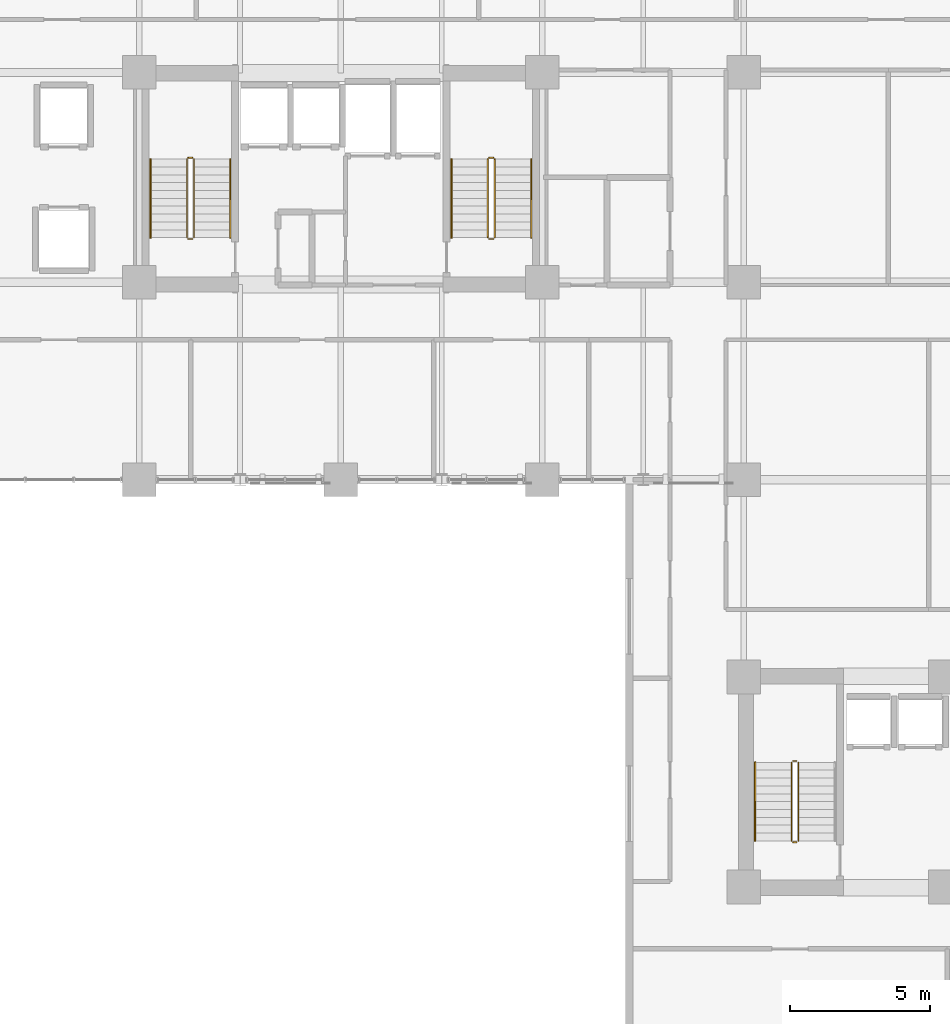
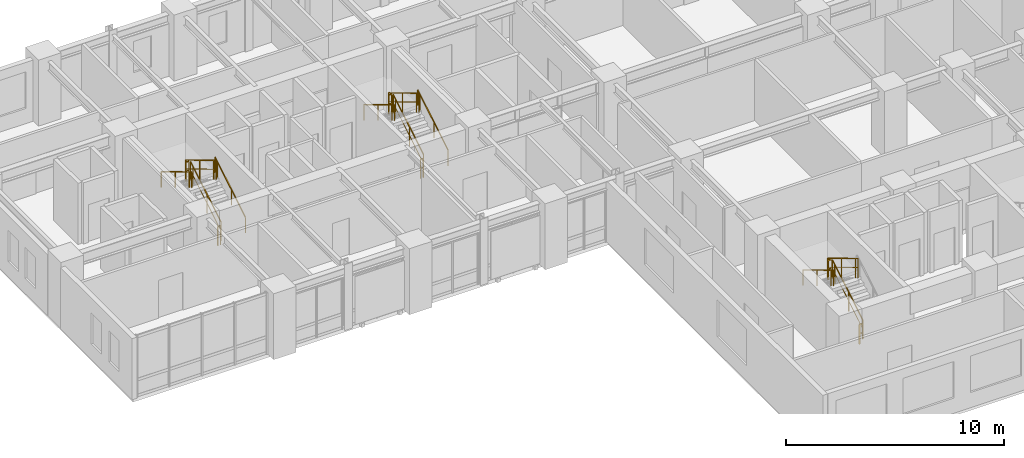
# One storey, part 14 of 16: 17 railings.
"""IFC4 building model written with IfcOpenShell, lengths in metres."""

from ifc_helpers import new_model, si_unit, direction, frame, origin, origin_2d, place, context, subcontext, project, spatial, rectangle, extrude, material, type_object, element, save


model = new_model("IFC4")

# Units and contexts
model_context = context("Model", 3, precision=1e-05, world=origin(), true_north=direction((0.0, 1.0)))
body_context = subcontext(model_context, "Body", "Model", "MODEL_VIEW")
ifc_project = project(units=[si_unit("LENGTHUNIT", "METRE"), si_unit("AREAUNIT", "SQUARE_METRE"), si_unit("VOLUMEUNIT", "CUBIC_METRE"), si_unit("PLANEANGLEUNIT", "RADIAN"), si_unit("MASSUNIT", "GRAM", prefix="KILO")], contexts=[model_context])

# Site, building, storey
site_placement = place(None, origin())
site = spatial("IfcSite", under=ifc_project, at=site_placement, CompositionType="ELEMENT")
building_placement = place(site_placement, origin())
building = spatial("IfcBuilding", under=site, at=building_placement, Name="Kaliganga Portal Commons", CompositionType="ELEMENT")
storey_placement = place(building_placement, frame((0.0, 0.0, 82.300048828125)))
storey = spatial("IfcBuildingStorey", under=building, at=storey_placement, Name="L20", CompositionType="ELEMENT", Elevation=82.300048828125)

# Railings
ifc_material_1 = material(Name="Galvanized Painted Steel Balustrade", Category="steel")
railing_type_1 = type_object("IfcRailingType", Name="RLG-STAIR-GRD", PredefinedType="GUARDRAIL", material=ifc_material_1)
railing_1_placement = place(storey_placement, frame((16.35009765625, 30.25, 0.168212890625)))
element("IfcRailing", 1, at=railing_1_placement, inside=storey, type_object=railing_type_1, Name="L20 ST-A1 stair guard 1", PredefinedType="GUARDRAIL", context=body_context, shape_type="SweptSolid", body=[
    extrude(rectangle(XDim=0.048095703125, YDim=0.048095703125, at=origin_2d()), frame((0.0, 0.0, 1.072021484375), z_axis=(0.0, 0.857275202839, 0.514858452973), x_axis=(-1.0, 0.0, 0.0)), (0.0, 0.0, 1.0), 3.26611328125),
    extrude(rectangle(XDim=0.028076171875, YDim=0.028076171875, at=origin_2d()), frame((0.0, 0.0, 0.572021484375), z_axis=(0.0, 0.857275202839, 0.514858452973), x_axis=(-1.0, 0.0, 0.0)), (0.0, 0.0, 1.0), 3.26611328125),
    extrude(rectangle(XDim=0.0419921875, YDim=0.0419921875, at=origin_2d()), origin(), (0.0, 0.0, 1.0), 1.052001953125),
    extrude(rectangle(XDim=0.0419921875, YDim=0.0419921875, at=origin_2d()), frame((0.0, 1.285888671875, 0.772216796875)), (0.0, 0.0, 1.0), 1.052001953125),
    extrude(rectangle(XDim=0.0419921875, YDim=0.0419921875, at=origin_2d()), frame((0.0, 2.57177734375, 1.544677734375)), (0.0, 0.0, 1.0), 1.052001953125),
    extrude(rectangle(XDim=0.0419921875, YDim=0.0419921875, at=origin_2d()), frame((0.0, 2.800048828125, 1.681640625)), (0.0, 0.0, 1.0), 1.052001953125),
])
railing_2_placement = place(storey_placement, frame((16.300048828125, 33.10009765625, 1.849853515625)))
element("IfcRailing", 2, at=railing_2_placement, inside=storey, type_object=railing_type_1, Name="L20 ST-A1 stair guard 2", PredefinedType="GUARDRAIL", context=body_context, shape_type="SweptSolid", body=[
    extrude(rectangle(XDim=0.048095703125, YDim=0.048095703125, at=origin_2d()), frame((0.0, 0.0, 1.076171875), z_axis=(-1.0, 0.0, 0.0), x_axis=(0.0, -1.0, 0.0)), (0.0, 0.0, 1.0), 0.150146484375),
    extrude(rectangle(XDim=0.028076171875, YDim=0.028076171875, at=origin_2d()), frame((0.0, 0.0, 0.572021484375), z_axis=(-1.0, 0.0, 0.0), x_axis=(0.0, -1.0, 0.0)), (0.0, 0.0, 1.0), 0.150146484375),
    extrude(rectangle(XDim=0.0419921875, YDim=0.0419921875, at=origin_2d()), origin(), (0.0, 0.0, 1.0), 1.052001953125),
    extrude(rectangle(XDim=0.0419921875, YDim=0.0419921875, at=origin_2d()), frame((-0.150146484375, 0.0, 0.0)), (0.0, 0.0, 1.0), 1.052001953125),
])
railing_3_placement = place(storey_placement, frame((16.10009765625, 33.050048828125, 2.01806640625)))
element("IfcRailing", 3, at=railing_3_placement, inside=storey, type_object=railing_type_1, Name="L20 ST-A1 stair guard 3", PredefinedType="GUARDRAIL", context=body_context, shape_type="SweptSolid", body=[
    extrude(rectangle(XDim=0.048095703125, YDim=0.048095703125, at=origin_2d()), frame((0.0, 0.0, 1.072021484375), z_axis=(0.0, -0.857242210791, 0.514913383045), x_axis=(1.0, 0.0, 0.0)), (0.0, 0.0, 1.0), 3.266357421875),
    extrude(rectangle(XDim=0.028076171875, YDim=0.028076171875, at=origin_2d()), frame((0.0, 0.0, 0.572021484375), z_axis=(0.0, -0.857242210791, 0.514913383045), x_axis=(1.0, 0.0, 0.0)), (0.0, 0.0, 1.0), 3.266357421875),
    extrude(rectangle(XDim=0.0419921875, YDim=0.0419921875, at=origin_2d()), origin(), (0.0, 0.0, 1.0), 1.052001953125),
    extrude(rectangle(XDim=0.0419921875, YDim=0.0419921875, at=origin_2d()), frame((0.0, -1.285888671875, 0.7724609375)), (0.0, 0.0, 1.0), 1.052001953125),
    extrude(rectangle(XDim=0.0419921875, YDim=0.0419921875, at=origin_2d()), frame((0.0, -2.57177734375, 1.544677734375)), (0.0, 0.0, 1.0), 1.052001953125),
    extrude(rectangle(XDim=0.0419921875, YDim=0.0419921875, at=origin_2d()), frame((0.0, -2.800048828125, 1.681884765625)), (0.0, 0.0, 1.0), 1.052001953125),
])
railing_4_placement = place(storey_placement, frame((16.300048828125, 30.199951171875, 0.0)))
element("IfcRailing", 4, at=railing_4_placement, inside=storey, type_object=railing_type_1, Name="L20 ST-A1 stair guard 4", PredefinedType="GUARDRAIL", context=body_context, shape_type="SweptSolid", body=[
    extrude(rectangle(XDim=0.048095703125, YDim=0.048095703125, at=origin_2d()), frame((0.0, 0.0, 1.076171875), z_axis=(-1.0, 0.0, 0.0), x_axis=(0.0, -1.0, 0.0)), (0.0, 0.0, 1.0), 0.150146484375),
    extrude(rectangle(XDim=0.028076171875, YDim=0.028076171875, at=origin_2d()), frame((0.0, 0.0, 0.572021484375), z_axis=(-1.0, 0.0, 0.0), x_axis=(0.0, -1.0, 0.0)), (0.0, 0.0, 1.0), 0.150146484375),
    extrude(rectangle(XDim=0.0419921875, YDim=0.0419921875, at=origin_2d()), origin(), (0.0, 0.0, 1.0), 1.052001953125),
    extrude(rectangle(XDim=0.0419921875, YDim=0.0419921875, at=origin_2d()), frame((-0.150146484375, 0.0, 0.0)), (0.0, 0.0, 1.0), 1.052001953125),
])
railing_5_placement = place(storey_placement, frame((27.10009765625, 30.25, 0.168212890625)))
element("IfcRailing", 5, at=railing_5_placement, inside=storey, type_object=railing_type_1, Name="L20 ST-A2 stair guard 1", PredefinedType="GUARDRAIL", context=body_context, shape_type="SweptSolid", body=[
    extrude(rectangle(XDim=0.048095703125, YDim=0.048095703125, at=origin_2d()), frame((0.0, 0.0, 1.072021484375), z_axis=(0.0, 0.857275202839, 0.514858452973), x_axis=(-1.0, 0.0, 0.0)), (0.0, 0.0, 1.0), 3.26611328125),
    extrude(rectangle(XDim=0.028076171875, YDim=0.028076171875, at=origin_2d()), frame((0.0, 0.0, 0.572021484375), z_axis=(0.0, 0.857275202839, 0.514858452973), x_axis=(-1.0, 0.0, 0.0)), (0.0, 0.0, 1.0), 3.26611328125),
    extrude(rectangle(XDim=0.0419921875, YDim=0.0419921875, at=origin_2d()), origin(), (0.0, 0.0, 1.0), 1.052001953125),
    extrude(rectangle(XDim=0.0419921875, YDim=0.0419921875, at=origin_2d()), frame((0.0, 1.285888671875, 0.772216796875)), (0.0, 0.0, 1.0), 1.052001953125),
    extrude(rectangle(XDim=0.0419921875, YDim=0.0419921875, at=origin_2d()), frame((0.0, 2.57177734375, 1.544677734375)), (0.0, 0.0, 1.0), 1.052001953125),
    extrude(rectangle(XDim=0.0419921875, YDim=0.0419921875, at=origin_2d()), frame((0.0, 2.800048828125, 1.681640625)), (0.0, 0.0, 1.0), 1.052001953125),
])
railing_6_placement = place(storey_placement, frame((27.050048828125, 33.10009765625, 1.849853515625)))
element("IfcRailing", 6, at=railing_6_placement, inside=storey, type_object=railing_type_1, Name="L20 ST-A2 stair guard 2", PredefinedType="GUARDRAIL", context=body_context, shape_type="SweptSolid", body=[
    extrude(rectangle(XDim=0.048095703125, YDim=0.048095703125, at=origin_2d()), frame((0.0, 0.0, 1.076171875), z_axis=(-1.0, 0.0, 0.0), x_axis=(0.0, -1.0, 0.0)), (0.0, 0.0, 1.0), 0.150146484375),
    extrude(rectangle(XDim=0.028076171875, YDim=0.028076171875, at=origin_2d()), frame((0.0, 0.0, 0.572021484375), z_axis=(-1.0, 0.0, 0.0), x_axis=(0.0, -1.0, 0.0)), (0.0, 0.0, 1.0), 0.150146484375),
    extrude(rectangle(XDim=0.0419921875, YDim=0.0419921875, at=origin_2d()), origin(), (0.0, 0.0, 1.0), 1.052001953125),
    extrude(rectangle(XDim=0.0419921875, YDim=0.0419921875, at=origin_2d()), frame((-0.150146484375, 0.0, 0.0)), (0.0, 0.0, 1.0), 1.052001953125),
])
railing_7_placement = place(storey_placement, frame((26.85009765625, 33.050048828125, 2.01806640625)))
element("IfcRailing", 7, at=railing_7_placement, inside=storey, type_object=railing_type_1, Name="L20 ST-A2 stair guard 3", PredefinedType="GUARDRAIL", context=body_context, shape_type="SweptSolid", body=[
    extrude(rectangle(XDim=0.048095703125, YDim=0.048095703125, at=origin_2d()), frame((0.0, 0.0, 1.072021484375), z_axis=(0.0, -0.857242210791, 0.514913383045), x_axis=(1.0, 0.0, 0.0)), (0.0, 0.0, 1.0), 3.266357421875),
    extrude(rectangle(XDim=0.028076171875, YDim=0.028076171875, at=origin_2d()), frame((0.0, 0.0, 0.572021484375), z_axis=(0.0, -0.857242210791, 0.514913383045), x_axis=(1.0, 0.0, 0.0)), (0.0, 0.0, 1.0), 3.266357421875),
    extrude(rectangle(XDim=0.0419921875, YDim=0.0419921875, at=origin_2d()), origin(), (0.0, 0.0, 1.0), 1.052001953125),
    extrude(rectangle(XDim=0.0419921875, YDim=0.0419921875, at=origin_2d()), frame((0.0, -1.285888671875, 0.7724609375)), (0.0, 0.0, 1.0), 1.052001953125),
    extrude(rectangle(XDim=0.0419921875, YDim=0.0419921875, at=origin_2d()), frame((0.0, -2.57177734375, 1.544677734375)), (0.0, 0.0, 1.0), 1.052001953125),
    extrude(rectangle(XDim=0.0419921875, YDim=0.0419921875, at=origin_2d()), frame((0.0, -2.800048828125, 1.681884765625)), (0.0, 0.0, 1.0), 1.052001953125),
])
railing_8_placement = place(storey_placement, frame((27.050048828125, 30.199951171875, 0.0)))
element("IfcRailing", 8, at=railing_8_placement, inside=storey, type_object=railing_type_1, Name="L20 ST-A2 stair guard 4", PredefinedType="GUARDRAIL", context=body_context, shape_type="SweptSolid", body=[
    extrude(rectangle(XDim=0.048095703125, YDim=0.048095703125, at=origin_2d()), frame((0.0, 0.0, 1.076171875), z_axis=(-1.0, 0.0, 0.0), x_axis=(0.0, -1.0, 0.0)), (0.0, 0.0, 1.0), 0.150146484375),
    extrude(rectangle(XDim=0.028076171875, YDim=0.028076171875, at=origin_2d()), frame((0.0, 0.0, 0.572021484375), z_axis=(-1.0, 0.0, 0.0), x_axis=(0.0, -1.0, 0.0)), (0.0, 0.0, 1.0), 0.150146484375),
    extrude(rectangle(XDim=0.0419921875, YDim=0.0419921875, at=origin_2d()), origin(), (0.0, 0.0, 1.0), 1.052001953125),
    extrude(rectangle(XDim=0.0419921875, YDim=0.0419921875, at=origin_2d()), frame((-0.150146484375, 0.0, 0.0)), (0.0, 0.0, 1.0), 1.052001953125),
])
railing_9_placement = place(storey_placement, frame((37.949951171875, 8.699951171875, 0.168212890625)))
element("IfcRailing", 9, at=railing_9_placement, inside=storey, type_object=railing_type_1, Name="L20 ST-B1 stair guard 1", PredefinedType="GUARDRAIL", context=body_context, shape_type="SweptSolid", body=[
    extrude(rectangle(XDim=0.048095703125, YDim=0.048095703125, at=origin_2d()), frame((0.0, 0.0, 1.072021484375), z_axis=(0.0, 0.857275202839, 0.514858452973), x_axis=(-1.0, 0.0, 0.0)), (0.0, 0.0, 1.0), 3.26611328125),
    extrude(rectangle(XDim=0.028076171875, YDim=0.028076171875, at=origin_2d()), frame((0.0, 0.0, 0.572021484375), z_axis=(0.0, 0.857275202839, 0.514858452973), x_axis=(-1.0, 0.0, 0.0)), (0.0, 0.0, 1.0), 3.26611328125),
    extrude(rectangle(XDim=0.0419921875, YDim=0.0419921875, at=origin_2d()), origin(), (0.0, 0.0, 1.0), 1.052001953125),
    extrude(rectangle(XDim=0.0419921875, YDim=0.0419921875, at=origin_2d()), frame((0.0, 1.285888671875, 0.772216796875)), (0.0, 0.0, 1.0), 1.052001953125),
    extrude(rectangle(XDim=0.0419921875, YDim=0.0419921875, at=origin_2d()), frame((0.0, 2.57177734375, 1.544677734375)), (0.0, 0.0, 1.0), 1.052001953125),
    extrude(rectangle(XDim=0.0419921875, YDim=0.0419921875, at=origin_2d()), frame((0.0, 2.800048828125, 1.681640625)), (0.0, 0.0, 1.0), 1.052001953125),
])
railing_10_placement = place(storey_placement, frame((37.89990234375, 11.550048828125, 1.849853515625)))
element("IfcRailing", 10, at=railing_10_placement, inside=storey, type_object=railing_type_1, Name="L20 ST-B1 stair guard 2", PredefinedType="GUARDRAIL", context=body_context, shape_type="SweptSolid", body=[
    extrude(rectangle(XDim=0.048095703125, YDim=0.048095703125, at=origin_2d()), frame((0.0, 0.0, 1.076171875), z_axis=(-1.0, 0.0, 0.0), x_axis=(0.0, -1.0, 0.0)), (0.0, 0.0, 1.0), 0.14990234375),
    extrude(rectangle(XDim=0.028076171875, YDim=0.028076171875, at=origin_2d()), frame((0.0, 0.0, 0.572021484375), z_axis=(-1.0, 0.0, 0.0), x_axis=(0.0, -1.0, 0.0)), (0.0, 0.0, 1.0), 0.14990234375),
    extrude(rectangle(XDim=0.0419921875, YDim=0.0419921875, at=origin_2d()), frame((-0.14990234375, 0.0, 0.0)), (0.0, 0.0, 1.0), 1.052001953125),
])
railing_11_placement = place(storey_placement, frame((37.699951171875, 11.5, 2.01806640625)))
element("IfcRailing", 11, at=railing_11_placement, inside=storey, type_object=railing_type_1, Name="L20 ST-B1 stair guard 3", PredefinedType="GUARDRAIL", context=body_context, shape_type="SweptSolid", body=[
    extrude(rectangle(XDim=0.048095703125, YDim=0.048095703125, at=origin_2d()), frame((0.0, 0.0, 1.072021484375), z_axis=(0.0, -0.857242210791, 0.514913383045), x_axis=(1.0, 0.0, 0.0)), (0.0, 0.0, 1.0), 3.266357421875),
    extrude(rectangle(XDim=0.028076171875, YDim=0.028076171875, at=origin_2d()), frame((0.0, 0.0, 0.572021484375), z_axis=(0.0, -0.857242210791, 0.514913383045), x_axis=(1.0, 0.0, 0.0)), (0.0, 0.0, 1.0), 3.266357421875),
    extrude(rectangle(XDim=0.0419921875, YDim=0.0419921875, at=origin_2d()), origin(), (0.0, 0.0, 1.0), 1.052001953125),
    extrude(rectangle(XDim=0.0419921875, YDim=0.0419921875, at=origin_2d()), frame((0.0, -1.285888671875, 0.7724609375)), (0.0, 0.0, 1.0), 1.052001953125),
    extrude(rectangle(XDim=0.0419921875, YDim=0.0419921875, at=origin_2d()), frame((0.0, -2.57177734375, 1.544677734375)), (0.0, 0.0, 1.0), 1.052001953125),
    extrude(rectangle(XDim=0.0419921875, YDim=0.0419921875, at=origin_2d()), frame((0.0, -2.800048828125, 1.681884765625)), (0.0, 0.0, 1.0), 1.052001953125),
])
railing_12_placement = place(storey_placement, frame((37.89990234375, 8.64990234375, 0.0)))
element("IfcRailing", 12, at=railing_12_placement, inside=storey, type_object=railing_type_1, Name="L20 ST-B1 stair guard 4", PredefinedType="GUARDRAIL", context=body_context, shape_type="SweptSolid", body=[
    extrude(rectangle(XDim=0.048095703125, YDim=0.048095703125, at=origin_2d()), frame((0.0, 0.0, 1.076171875), z_axis=(-1.0, 0.0, 0.0), x_axis=(0.0, -1.0, 0.0)), (0.0, 0.0, 1.0), 0.14990234375),
    extrude(rectangle(XDim=0.028076171875, YDim=0.028076171875, at=origin_2d()), frame((0.0, 0.0, 0.572021484375), z_axis=(-1.0, 0.0, 0.0), x_axis=(0.0, -1.0, 0.0)), (0.0, 0.0, 1.0), 0.14990234375),
    extrude(rectangle(XDim=0.0419921875, YDim=0.0419921875, at=origin_2d()), frame((-0.14990234375, 0.0, 0.0)), (0.0, 0.0, 1.0), 1.052001953125),
])
ifc_material_2 = material(Name="Brushed Stainless Steel 316", Category="steel")
railing_type_2 = type_object("IfcRailingType", Name="RLG-STAIR-HR", PredefinedType="HANDRAIL", material=ifc_material_2)
railing_13_placement = place(storey_placement, frame((17.64990234375, 30.25, 0.168212890625)))
element("IfcRailing", 13, at=railing_13_placement, inside=storey, type_object=railing_type_2, Name="L20 ST-A1 stair handrail 1", PredefinedType="HANDRAIL", context=body_context, shape_type="SweptSolid", body=[
    extrude(rectangle(XDim=0.048095703125, YDim=0.048095703125, at=origin_2d()), frame((0.0, 0.0, 0.871826171875), z_axis=(0.0, 0.857275202839, 0.514858452973), x_axis=(-1.0, 0.0, 0.0)), (0.0, 0.0, 1.0), 3.26611328125),
    extrude(rectangle(XDim=0.0419921875, YDim=0.0419921875, at=origin_2d()), origin(), (0.0, 0.0, 1.0), 0.851806640625),
    extrude(rectangle(XDim=0.0419921875, YDim=0.0419921875, at=origin_2d()), frame((0.0, 1.285888671875, 0.772216796875)), (0.0, 0.0, 1.0), 0.851806640625),
    extrude(rectangle(XDim=0.0419921875, YDim=0.0419921875, at=origin_2d()), frame((0.0, 2.57177734375, 1.544677734375)), (0.0, 0.0, 1.0), 0.851806640625),
    extrude(rectangle(XDim=0.0419921875, YDim=0.0419921875, at=origin_2d()), frame((0.0, 2.800048828125, 1.681640625)), (0.0, 0.0, 1.0), 0.851806640625),
])
railing_14_placement = place(storey_placement, frame((14.800048828125, 33.050048828125, 2.01806640625)))
element("IfcRailing", 14, at=railing_14_placement, inside=storey, type_object=railing_type_2, Name="L20 ST-A1 stair handrail 2", PredefinedType="HANDRAIL", context=body_context, shape_type="SweptSolid", body=[
    extrude(rectangle(XDim=0.048095703125, YDim=0.048095703125, at=origin_2d()), frame((0.0, 0.0, 0.871826171875), z_axis=(0.0, -0.857242210791, 0.514913383045), x_axis=(1.0, 0.0, 0.0)), (0.0, 0.0, 1.0), 3.266357421875),
    extrude(rectangle(XDim=0.0419921875, YDim=0.0419921875, at=origin_2d()), origin(), (0.0, 0.0, 1.0), 0.851806640625),
    extrude(rectangle(XDim=0.0419921875, YDim=0.0419921875, at=origin_2d()), frame((0.0, -1.285888671875, 0.7724609375)), (0.0, 0.0, 1.0), 0.851806640625),
    extrude(rectangle(XDim=0.0419921875, YDim=0.0419921875, at=origin_2d()), frame((0.0, -2.57177734375, 1.544677734375)), (0.0, 0.0, 1.0), 0.851806640625),
    extrude(rectangle(XDim=0.0419921875, YDim=0.0419921875, at=origin_2d()), frame((0.0, -2.800048828125, 1.681884765625)), (0.0, 0.0, 1.0), 0.851806640625),
])
railing_15_placement = place(storey_placement, frame((28.39990234375, 30.25, 0.168212890625)))
element("IfcRailing", 15, at=railing_15_placement, inside=storey, type_object=railing_type_2, Name="L20 ST-A2 stair handrail 1", PredefinedType="HANDRAIL", context=body_context, shape_type="SweptSolid", body=[
    extrude(rectangle(XDim=0.048095703125, YDim=0.048095703125, at=origin_2d()), frame((0.0, 0.0, 0.871826171875), z_axis=(0.0, 0.857275202839, 0.514858452973), x_axis=(-1.0, 0.0, 0.0)), (0.0, 0.0, 1.0), 3.26611328125),
    extrude(rectangle(XDim=0.0419921875, YDim=0.0419921875, at=origin_2d()), origin(), (0.0, 0.0, 1.0), 0.851806640625),
    extrude(rectangle(XDim=0.0419921875, YDim=0.0419921875, at=origin_2d()), frame((0.0, 1.285888671875, 0.772216796875)), (0.0, 0.0, 1.0), 0.851806640625),
    extrude(rectangle(XDim=0.0419921875, YDim=0.0419921875, at=origin_2d()), frame((0.0, 2.57177734375, 1.544677734375)), (0.0, 0.0, 1.0), 0.851806640625),
    extrude(rectangle(XDim=0.0419921875, YDim=0.0419921875, at=origin_2d()), frame((0.0, 2.800048828125, 1.681640625)), (0.0, 0.0, 1.0), 0.851806640625),
])
for number, where, name in (
    (16, (25.550048828125, 33.050048828125, 2.01806640625), "L20 ST-A2 stair handrail 2"),
    (17, (36.39990234375, 11.5, 2.01806640625), "L20 ST-B1 stair handrail 2"),
):
    element("IfcRailing", number, at=place(storey_placement, frame(where)), inside=storey, type_object=railing_type_2, Name=name, PredefinedType="HANDRAIL", context=body_context, shape_type="SweptSolid", body=[
        extrude(rectangle(XDim=0.048095703125, YDim=0.048095703125, at=origin_2d()), frame((0.0, 0.0, 0.871826171875), z_axis=(0.0, -0.857242210791, 0.514913383045), x_axis=(1.0, 0.0, 0.0)), (0.0, 0.0, 1.0), 3.266357421875),
        extrude(rectangle(XDim=0.0419921875, YDim=0.0419921875, at=origin_2d()), origin(), (0.0, 0.0, 1.0), 0.851806640625),
        extrude(rectangle(XDim=0.0419921875, YDim=0.0419921875, at=origin_2d()), frame((0.0, -1.285888671875, 0.7724609375)), (0.0, 0.0, 1.0), 0.851806640625),
        extrude(rectangle(XDim=0.0419921875, YDim=0.0419921875, at=origin_2d()), frame((0.0, -2.57177734375, 1.544677734375)), (0.0, 0.0, 1.0), 0.851806640625),
        extrude(rectangle(XDim=0.0419921875, YDim=0.0419921875, at=origin_2d()), frame((0.0, -2.800048828125, 1.681884765625)), (0.0, 0.0, 1.0), 0.851806640625),
    ])

save(model, "model.ifc")
